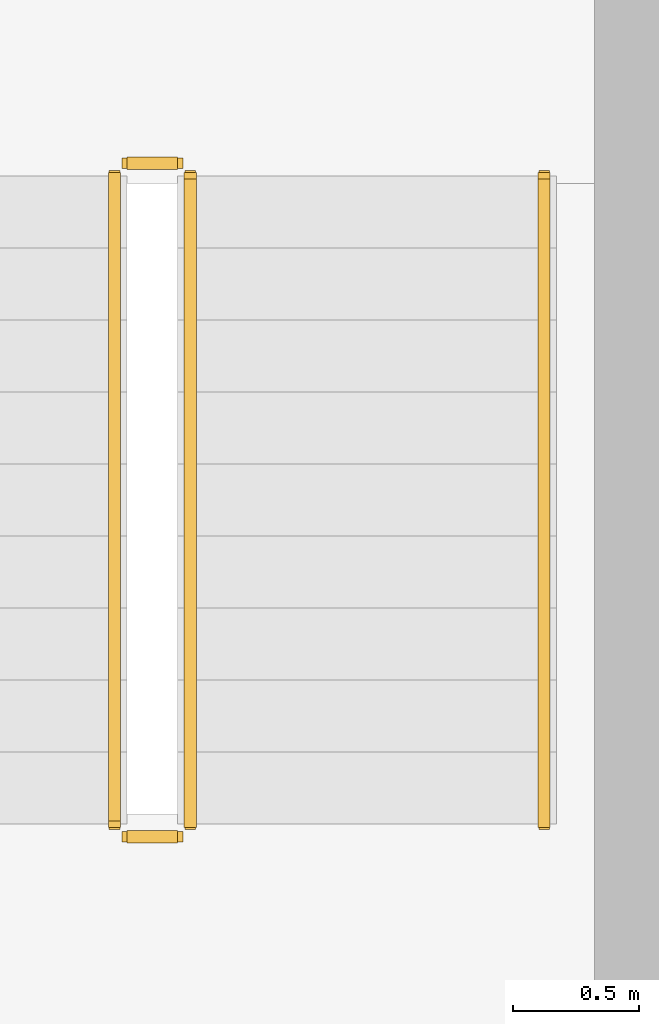
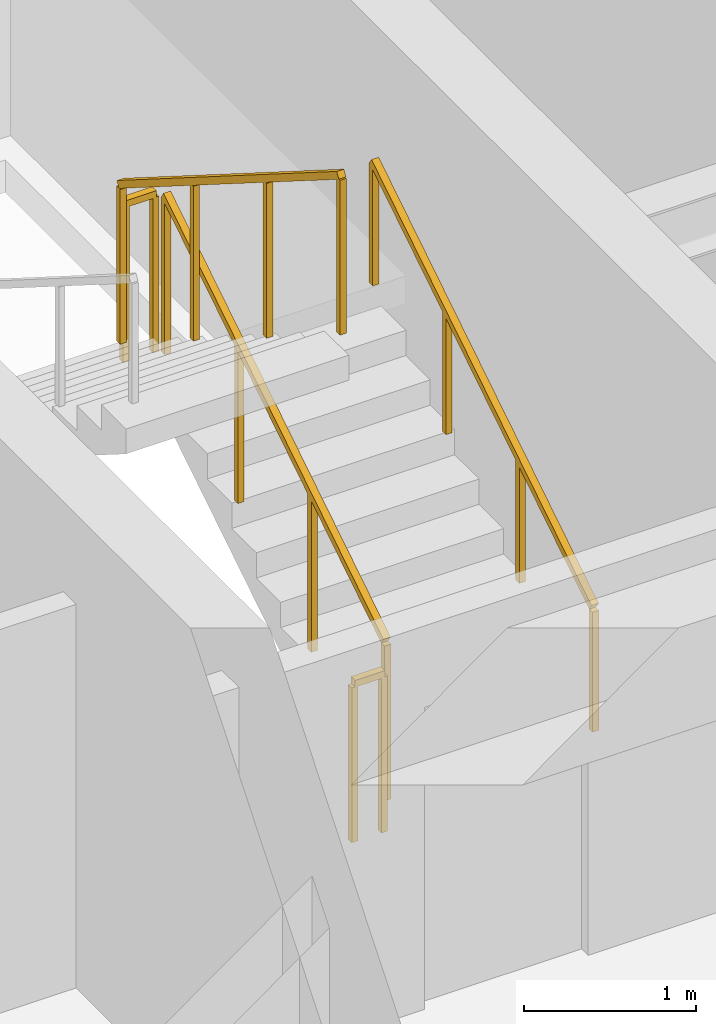
# One storey, part 23 of 23: 5 railings.
"""IFC4 building model written with IfcOpenShell, lengths in metres."""

from ifc_helpers import new_model, si_unit, direction, frame, origin, origin_2d, place, context, subcontext, project, spatial, rectangle, extrude, material, type_object, element, save


model = new_model("IFC4")

# Units and contexts
model_context = context("Model", 3, precision=1e-05, world=origin(), true_north=direction((0.0, 1.0)))
body_context = subcontext(model_context, "Body", "Model", "MODEL_VIEW")
ifc_project = project(units=[si_unit("LENGTHUNIT", "METRE"), si_unit("AREAUNIT", "SQUARE_METRE"), si_unit("VOLUMEUNIT", "CUBIC_METRE"), si_unit("PLANEANGLEUNIT", "RADIAN"), si_unit("MASSUNIT", "GRAM", prefix="KILO")], contexts=[model_context])

# Site, building, storey
site_placement = place(None, origin())
site = spatial("IfcSite", under=ifc_project, at=site_placement, CompositionType="ELEMENT")
building_placement = place(site_placement, origin())
building = spatial("IfcBuilding", under=site, at=building_placement, Name="Sarneth Arch Tower", CompositionType="ELEMENT")
storey_placement = place(building_placement, frame((0.0, 0.0, 262.199951171875)))
storey = spatial("IfcBuildingStorey", under=building, at=storey_placement, Name="L67", CompositionType="ELEMENT", Elevation=262.199951171875)

# Railings
ifc_material_1 = material(Name="Brushed Stainless Steel 304 tubular handrail", Category="steel")
railing_type_1 = type_object("IfcRailingType", Name="RAIL-HANDRAIL-900", PredefinedType="HANDRAIL", material=ifc_material_1)
railing_1_placement = place(storey_placement, frame((58.60009765625, 41.449951171875, 0.179931640625)))
element("IfcRailing", 1, at=railing_1_placement, inside=storey, type_object=railing_type_1, Name="L67 ST-2 stair handrail 1", PredefinedType="HANDRAIL", context=body_context, shape_type="SweptSolid", body=[
    extrude(rectangle(XDim=0.048095703125, YDim=0.048095703125, at=origin_2d()), frame((0.0, 0.0, 0.8759765625), z_axis=(0.0, 0.845465955043, 0.534029323973), x_axis=(-1.0, 0.0, 0.0)), (0.0, 0.0, 1.0), 3.03369140625),
    extrude(rectangle(XDim=0.0419921875, YDim=0.0419921875, at=origin_2d()), origin(), (0.0, 0.0, 1.0), 0.851806640625),
    extrude(rectangle(XDim=0.0419921875, YDim=0.0419921875, at=origin_2d()), frame((0.0, 0.85498046875, 0.5400390625)), (0.0, 0.0, 1.0), 0.851806640625),
    extrude(rectangle(XDim=0.0419921875, YDim=0.0419921875, at=origin_2d()), frame((0.0, 1.7099609375, 1.080078125)), (0.0, 0.0, 1.0), 0.851806640625),
    extrude(rectangle(XDim=0.0419921875, YDim=0.0419921875, at=origin_2d()), frame((0.0, 2.56494140625, 1.6201171875)), (0.0, 0.0, 1.0), 0.851806640625),
])
ifc_material_2 = material(Name="Painted Steel S275 stair well guard", Category="steel")
railing_type_2 = type_object("IfcRailingType", Name="RAIL-STAIR-GUARD", PredefinedType="GUARDRAIL", material=ifc_material_2)
railing_2_placement = place(storey_placement, frame((57.199951171875, 41.449951171875, 0.179931640625)))
element("IfcRailing", 2, at=railing_2_placement, inside=storey, type_object=railing_type_2, Name="L67 ST-2 stair guard 1", PredefinedType="GUARDRAIL", context=body_context, shape_type="SweptSolid", body=[
    extrude(rectangle(XDim=0.048095703125, YDim=0.048095703125, at=origin_2d()), frame((0.0, 0.0, 1.1259765625), z_axis=(0.0, 0.845465955043, 0.534029323973), x_axis=(-1.0, 0.0, 0.0)), (0.0, 0.0, 1.0), 3.03369140625),
    extrude(rectangle(XDim=0.0419921875, YDim=0.0419921875, at=origin_2d()), origin(), (0.0, 0.0, 1.0), 1.101806640625),
    extrude(rectangle(XDim=0.0419921875, YDim=0.0419921875, at=origin_2d()), frame((0.0, 0.85498046875, 0.5400390625)), (0.0, 0.0, 1.0), 1.101806640625),
    extrude(rectangle(XDim=0.0419921875, YDim=0.0419921875, at=origin_2d()), frame((0.0, 1.7099609375, 1.080078125)), (0.0, 0.0, 1.0), 1.101806640625),
    extrude(rectangle(XDim=0.0419921875, YDim=0.0419921875, at=origin_2d()), frame((0.0, 2.56494140625, 1.6201171875)), (0.0, 0.0, 1.0), 1.101806640625),
])
railing_3_placement = place(storey_placement, frame((57.14990234375, 44.06494140625, 1.800048828125)))
element("IfcRailing", 3, at=railing_3_placement, inside=storey, type_object=railing_type_2, Name="L67 ST-2 stair guard 2", PredefinedType="GUARDRAIL", context=body_context, shape_type="SweptSolid", body=[
    extrude(rectangle(XDim=0.048095703125, YDim=0.048095703125, at=origin_2d()), frame((0.0, 0.0, 1.1259765625), z_axis=(-1.0, 0.0, 0.0), x_axis=(0.0, -1.0, 0.0)), (0.0, 0.0, 1.0), 0.199951171875),
    extrude(rectangle(XDim=0.0419921875, YDim=0.0419921875, at=origin_2d()), origin(), (0.0, 0.0, 1.0), 1.101806640625),
    extrude(rectangle(XDim=0.0419921875, YDim=0.0419921875, at=origin_2d()), frame((-0.199951171875, 0.0, 0.0)), (0.0, 0.0, 1.0), 1.101806640625),
])
railing_4_placement = place(storey_placement, frame((56.89990234375, 44.014892578125, 1.97998046875)))
element("IfcRailing", 4, at=railing_4_placement, inside=storey, type_object=railing_type_2, Name="L67 ST-2 stair guard 3", PredefinedType="GUARDRAIL", context=body_context, shape_type="SweptSolid", body=[
    extrude(rectangle(XDim=0.048095703125, YDim=0.048095703125, at=origin_2d()), frame((0.0, 0.0, 1.1259765625), z_axis=(0.0, -0.845465955043, 0.534029323973), x_axis=(1.0, 0.0, 0.0)), (0.0, 0.0, 1.0), 3.03369140625),
    extrude(rectangle(XDim=0.0419921875, YDim=0.0419921875, at=origin_2d()), origin(), (0.0, 0.0, 1.0), 1.101806640625),
    extrude(rectangle(XDim=0.0419921875, YDim=0.0419921875, at=origin_2d()), frame((0.0, -0.85498046875, 0.5400390625)), (0.0, 0.0, 1.0), 1.101806640625),
    extrude(rectangle(XDim=0.0419921875, YDim=0.0419921875, at=origin_2d()), frame((0.0, -1.7099609375, 1.080078125)), (0.0, 0.0, 1.0), 1.101806640625),
    extrude(rectangle(XDim=0.0419921875, YDim=0.0419921875, at=origin_2d()), frame((0.0, -2.56494140625, 1.6201171875)), (0.0, 0.0, 1.0), 1.101806640625),
])
railing_5_placement = place(storey_placement, frame((57.14990234375, 41.39990234375, 0.0)))
element("IfcRailing", 5, at=railing_5_placement, inside=storey, type_object=railing_type_2, Name="L67 ST-2 stair guard 4", PredefinedType="GUARDRAIL", context=body_context, shape_type="SweptSolid", body=[
    extrude(rectangle(XDim=0.048095703125, YDim=0.048095703125, at=origin_2d()), frame((0.0, 0.0, 1.1259765625), z_axis=(-1.0, 0.0, 0.0), x_axis=(0.0, -1.0, 0.0)), (0.0, 0.0, 1.0), 0.199951171875),
    extrude(rectangle(XDim=0.0419921875, YDim=0.0419921875, at=origin_2d()), origin(), (0.0, 0.0, 1.0), 1.101806640625),
    extrude(rectangle(XDim=0.0419921875, YDim=0.0419921875, at=origin_2d()), frame((-0.199951171875, 0.0, 0.0)), (0.0, 0.0, 1.0), 1.101806640625),
])

save(model, "model.ifc")
